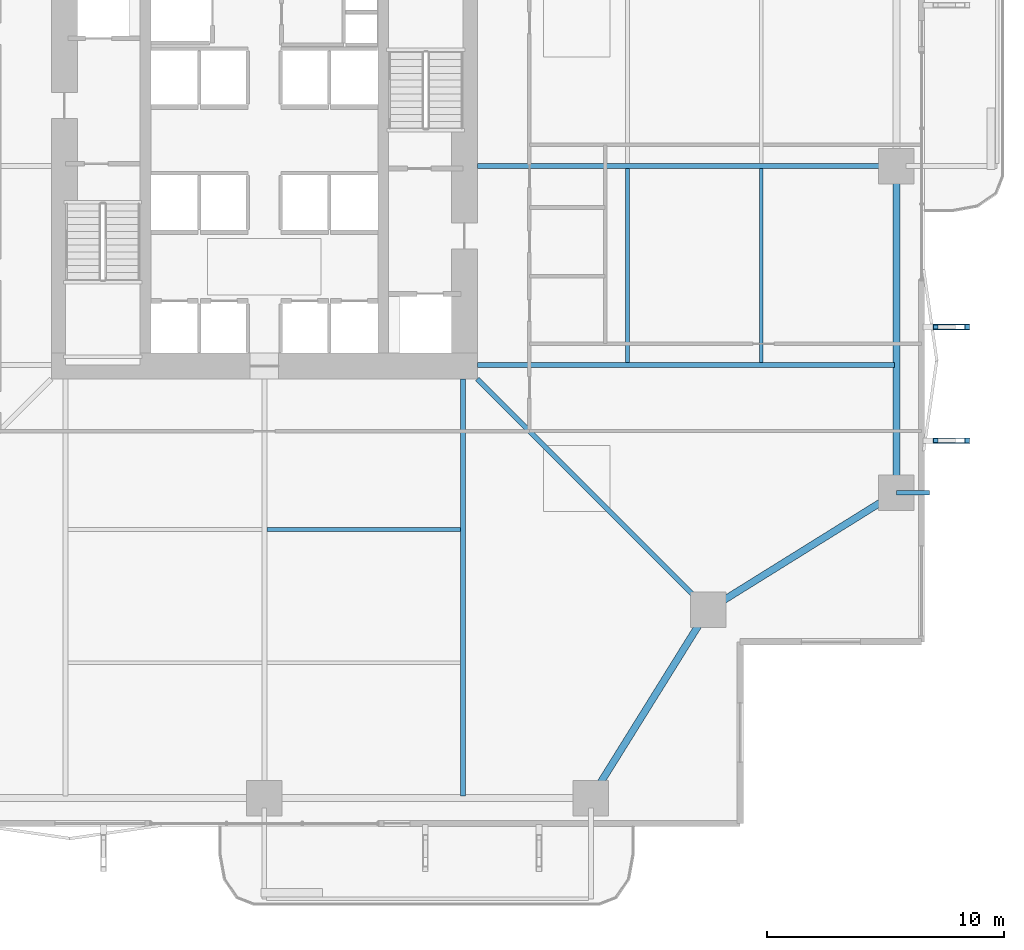
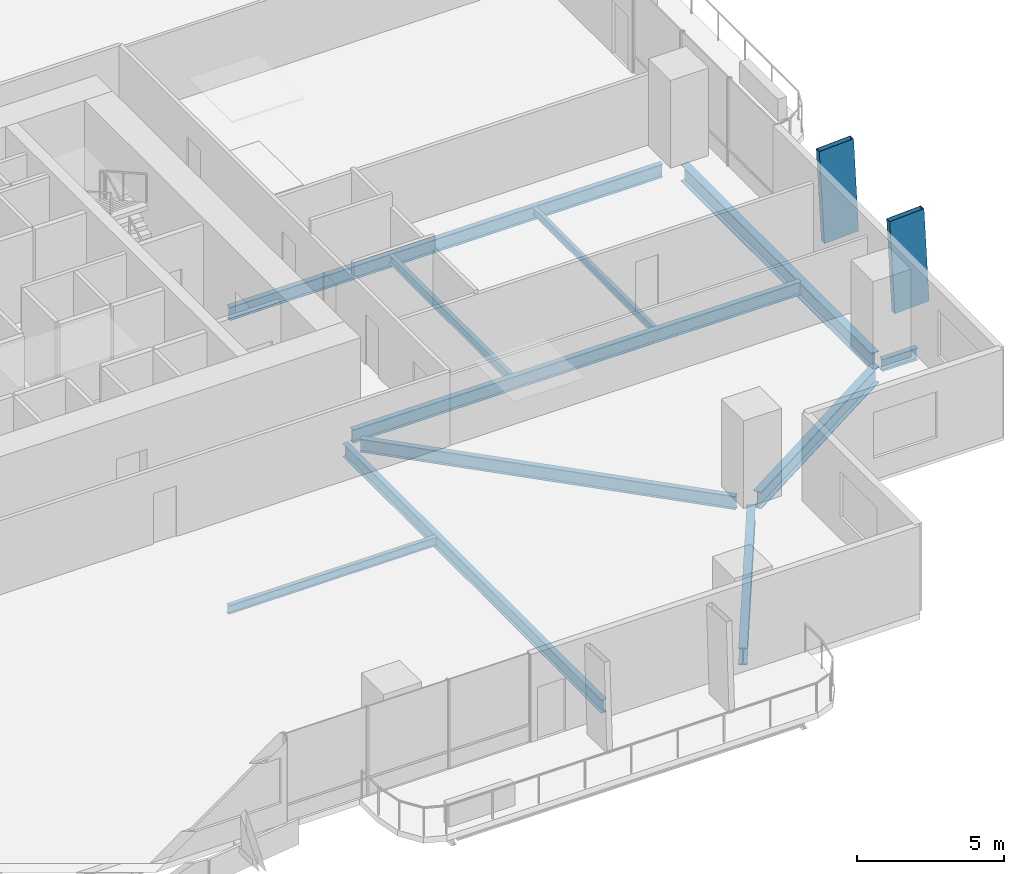
# One storey, part 7 of 24: 11 beams, 2 members.
"""IFC4 building model written with IfcOpenShell, lengths in metres."""

from ifc_helpers import new_model, si_unit, direction, frame, origin, origin_2d, place, context, subcontext, project, spatial, hollow_rectangle, i_section, extrude, material, material_profile, profile_set, type_object, element, save


model = new_model("IFC4")

# Units and contexts
model_context = context("Model", 3, precision=1e-05, world=origin(), true_north=direction((0.0, 1.0)))
body_context = subcontext(model_context, "Body", "Model", "MODEL_VIEW")
ifc_project = project(units=[si_unit("LENGTHUNIT", "METRE"), si_unit("AREAUNIT", "SQUARE_METRE"), si_unit("VOLUMEUNIT", "CUBIC_METRE"), si_unit("PLANEANGLEUNIT", "RADIAN"), si_unit("MASSUNIT", "GRAM", prefix="KILO")], contexts=[model_context])

# Site, building, storey
site_placement = place(None, origin())
site = spatial("IfcSite", under=ifc_project, at=site_placement, CompositionType="ELEMENT")
building_placement = place(site_placement, origin())
building = spatial("IfcBuilding", under=site, at=building_placement, Name="Belovzor Exchange Tower", CompositionType="ELEMENT")
storey_placement = place(building_placement, frame((0.0, 0.0, 72.89990234375)))
storey = spatial("IfcBuildingStorey", under=building, at=storey_placement, Name="L17", CompositionType="ELEMENT", Elevation=72.89990234375)

# Members
ifc_material_1 = material(Name="Extruded Architectural Terracotta on Steel S355 Carrier", Category="masonry")
ifc_material_profile_1 = material_profile(ifc_material_1, hollow_rectangle(XDim=0.219970703125, YDim=1.35009765625, WallThickness=0.013916015625, at=origin_2d()))
ifc_profile_set_1 = profile_set([ifc_material_profile_1], Name="Extruded Architectural Terracotta on Steel S355 Carrier")
member_type = type_object("IfcMemberType", Name="Base Arc Sweeping Terracotta Pylon Fin 1450", PredefinedType="USERDEFINED", material=ifc_profile_set_1)
for number, where, z_axis, x_axis, name in (
    (1, (57.927001953125, 17.199951171875, -0.25), (-0.051449765599, 0.0, 0.998675583771), (0.0, -1.0, 0.0), "FIN-TC145 Terracotta Facade Fin L17 E1"),
    (2, (57.927001953125, 22.0, -0.25), (-0.051449765599, 0.0, 0.998675583771), (0.0, -1.0, 0.0), "FIN-TC145 Terracotta Facade Fin L17 E2"),
):
    element("IfcMember", number, at=place(storey_placement, frame(where, z_axis=z_axis, x_axis=x_axis)), inside=storey, type_object=member_type, Name=name, ObjectType="FIN", PredefinedType="USERDEFINED", context=body_context, shape_type="SweptSolid", body=[
        extrude(hollow_rectangle(XDim=0.219970703125, YDim=1.35009765625, WallThickness=0.013916015625, at=origin_2d()), origin(), (0.0, 0.0, 1.0), 3.9052734375),
    ])

# Beams
ifc_material_2 = material(Name="Steel S355", Category="steel")
ifc_material_profile_2 = material_profile(ifc_material_2, i_section(OverallWidth=0.199951171875, OverallDepth=0.5, WebThickness=0.01025390625, FlangeThickness=0.01611328125, at=origin_2d()))
ifc_profile_set_2 = profile_set([ifc_material_profile_2], Name="Steel S355")
beam_type_1 = type_object("IfcBeamType", Name="Planted Balcony Cantilever Beam IPE 500", PredefinedType="BEAM", material=ifc_profile_set_2)
beam_1_placement = place(storey_placement, frame((55.5, 15.0, -0.5), z_axis=(1.0, 0.0, 0.0), x_axis=(0.0, 1.0, 0.0)))
element("IfcBeam", 3, at=beam_1_placement, inside=storey, type_object=beam_type_1, Name="BC-500 Planted Balcony Cantilever Beam IPE 500", PredefinedType="BEAM", context=body_context, shape_type="SweptSolid", body=[
    extrude(i_section(OverallWidth=0.199951171875, OverallDepth=0.5, WebThickness=0.01025390625, FlangeThickness=0.01611328125, at=origin_2d()), origin(), (0.0, 0.0, 1.0), 1.39990234375),
])
ifc_material_3 = material(Name="Steel S355", Category="steel")
ifc_material_profile_3 = material_profile(ifc_material_3, i_section(OverallWidth=0.169921875, OverallDepth=0.360107421875, WebThickness=0.008056640625, FlangeThickness=0.0126953125, at=origin_2d()))
ifc_profile_set_3 = profile_set([ifc_material_profile_3], Name="Steel S355")
beam_type_2 = type_object("IfcBeamType", Name="Secondary Infill Floor Joist IPE 360", PredefinedType="BEAM", material=ifc_profile_set_3)
beam_2_placement = place(storey_placement, frame((28.905029296875, 13.455078125, -0.429931640625), z_axis=(1.0, 0.0, 0.0), x_axis=(0.0, 1.0, 0.0)))
element("IfcBeam", 4, at=beam_2_placement, inside=storey, type_object=beam_type_2, Name="FJ-360 Secondary Infill Floor Joist IPE 360", PredefinedType="BEAM", context=body_context, shape_type="SweptSolid", body=[
    extrude(i_section(OverallWidth=0.169921875, OverallDepth=0.360107421875, WebThickness=0.008056640625, FlangeThickness=0.0126953125, at=origin_2d()), origin(), (0.0, 0.0, 1.0), 8.18994140625),
])
beam_3_placement = place(storey_placement, frame((44.14501953125, 20.5048828125, -0.429931640625), z_axis=(0.0, 1.0, 0.0), x_axis=(-1.0, 0.0, 0.0)))
element("IfcBeam", 5, at=beam_3_placement, inside=storey, type_object=beam_type_2, Name="FJ-360 Secondary Infill Floor Joist IPE 360", PredefinedType="BEAM", context=body_context, shape_type="SweptSolid", body=[
    extrude(i_section(OverallWidth=0.169921875, OverallDepth=0.360107421875, WebThickness=0.008056640625, FlangeThickness=0.0126953125, at=origin_2d()), origin(), (0.0, 0.0, 1.0), 8.190185546875),
])
ifc_material_4 = material(Name="Steel S355", Category="steel")
ifc_material_profile_4 = material_profile(ifc_material_4, i_section(OverallWidth=0.14990234375, OverallDepth=0.300048828125, WebThickness=0.007080078125, FlangeThickness=0.0107421875, at=origin_2d()))
ifc_profile_set_4 = profile_set([ifc_material_profile_4], Name="Steel S355")
beam_type_3 = type_object("IfcBeamType", Name="Secondary Trim Floor Joist IPE 300", PredefinedType="BEAM", material=ifc_profile_set_4)
beam_4_placement = place(storey_placement, frame((49.784912109375, 20.5048828125, -0.39990234375), z_axis=(0.0, 1.0, 0.0), x_axis=(-1.0, 0.0, 0.0)))
element("IfcBeam", 6, at=beam_4_placement, inside=storey, type_object=beam_type_3, Name="FJ-300 Secondary Trim Floor Joist IPE 300", PredefinedType="BEAM", context=body_context, shape_type="SweptSolid", body=[
    extrude(i_section(OverallWidth=0.14990234375, OverallDepth=0.300048828125, WebThickness=0.007080078125, FlangeThickness=0.0107421875, at=origin_2d()), origin(), (0.0, 0.0, 1.0), 8.190185546875),
])
ifc_material_5 = material(Name="Steel S355", Category="steel")
ifc_material_profile_5 = material_profile(ifc_material_5, i_section(OverallWidth=0.300048828125, OverallDepth=0.699951171875, WebThickness=0.01708984375, FlangeThickness=0.031982421875, at=origin_2d()))
ifc_profile_set_5 = profile_set([ifc_material_profile_5], Name="Steel S355")
beam_type_4 = type_object("IfcBeamType", Name="Zone 1 Primary Perimeter Girder HEB 700", PredefinedType="BEAM", material=ifc_profile_set_5)
for number, where, z_axis, x_axis, name in (
    (7, (42.818115234375, 2.449951171875, -0.599853515625), (0.528538629686, 0.848909251292, 0.0), (-0.848909251292, 0.528538629686, 0.0), "FG-Z1 Zone 1 Primary Perimeter Girder HEB 700"),
    (8, (47.89990234375, 10.26806640625, -0.599853515625), (0.848909251292, 0.528538629686, 0.0), (-0.528538629686, 0.848909251292, 0.0), "FG-Z1 Zone 1 Primary Perimeter Girder HEB 700"),
):
    element("IfcBeam", number, at=place(storey_placement, frame(where, z_axis=z_axis, x_axis=x_axis)), inside=storey, type_object=beam_type_4, Name=name, PredefinedType="BEAM", context=body_context, shape_type="SweptSolid", body=[
        extrude(i_section(OverallWidth=0.300048828125, OverallDepth=0.699951171875, WebThickness=0.01708984375, FlangeThickness=0.031982421875, at=origin_2d()), origin(), (0.0, 0.0, 1.0), 8.540283203125),
    ])
beam_5_placement = place(storey_placement, frame((55.5, 15.412109375, -0.599853515625), z_axis=(0.0, 1.0, 0.0), x_axis=(-1.0, 0.0, 0.0)))
element("IfcBeam", 9, at=beam_5_placement, inside=storey, type_object=beam_type_4, Name="FG-Z1 Zone 1 Primary Perimeter Girder HEB 700", PredefinedType="BEAM", context=body_context, shape_type="SweptSolid", body=[
    extrude(i_section(OverallWidth=0.300048828125, OverallDepth=0.699951171875, WebThickness=0.01708984375, FlangeThickness=0.031982421875, at=origin_2d()), origin(), (0.0, 0.0, 1.0), 12.974853515625),
])
ifc_material_6 = material(Name="Steel S355", Category="steel")
ifc_material_profile_6 = material_profile(ifc_material_6, i_section(OverallWidth=0.2099609375, OverallDepth=0.550048828125, WebThickness=0.010986328125, FlangeThickness=0.01708984375, at=origin_2d()))
ifc_profile_set_6 = profile_set([ifc_material_profile_6], Name="Steel S355")
beam_type_5 = type_object("IfcBeamType", Name="Zone 1 Radial Composite Floor Beam IPE 550", PredefinedType="BEAM", material=ifc_profile_set_6)
for number, where, z_axis, x_axis, name in (
    (10, (37.199951171875, 19.800048828125, -0.52490234375), (0.0, -1.0, 0.0), (1.0, 0.0, 0.0), "FB-550 Zone 1 Radial Composite Floor Beam IPE 550"),
    (11, (37.800048828125, 20.39990234375, -0.52490234375), (1.0, 0.0, 0.0), (0.0, 1.0, 0.0), "FB-550 Zone 1 Radial Composite Floor Beam IPE 550"),
):
    element("IfcBeam", number, at=place(storey_placement, frame(where, z_axis=z_axis, x_axis=x_axis)), inside=storey, type_object=beam_type_5, Name=name, PredefinedType="BEAM", context=body_context, shape_type="SweptSolid", body=[
        extrude(i_section(OverallWidth=0.2099609375, OverallDepth=0.550048828125, WebThickness=0.010986328125, FlangeThickness=0.01708984375, at=origin_2d()), origin(), (0.0, 0.0, 1.0), 17.625),
    ])
beam_6_placement = place(storey_placement, frame((37.800048828125, 28.800048828125, -0.52490234375), z_axis=(1.0, 0.0, 0.0), x_axis=(0.0, 1.0, 0.0)))
element("IfcBeam", 12, at=beam_6_placement, inside=storey, type_object=beam_type_5, Name="FB-550 Zone 1 Radial Composite Floor Beam IPE 550", PredefinedType="BEAM", context=body_context, shape_type="SweptSolid", body=[
    extrude(i_section(OverallWidth=0.2099609375, OverallDepth=0.550048828125, WebThickness=0.010986328125, FlangeThickness=0.01708984375, at=origin_2d()), origin(), (0.0, 0.0, 1.0), 17.0400390625),
])
beam_7_placement = place(storey_placement, frame((37.800048828125, 19.800048828125, -0.52490234375), z_axis=(0.707106781187, -0.707106781187, 0.0), x_axis=(0.707106781187, 0.707106781187, 0.0)))
element("IfcBeam", 13, at=beam_7_placement, inside=storey, type_object=beam_type_5, Name="FB-550 Zone 1 Radial Composite Floor Beam IPE 550", PredefinedType="BEAM", context=body_context, shape_type="SweptSolid", body=[
    extrude(i_section(OverallWidth=0.2099609375, OverallDepth=0.550048828125, WebThickness=0.010986328125, FlangeThickness=0.01708984375, at=origin_2d()), origin(), (0.0, 0.0, 1.0), 13.25830078125),
])

save(model, "model.ifc")
